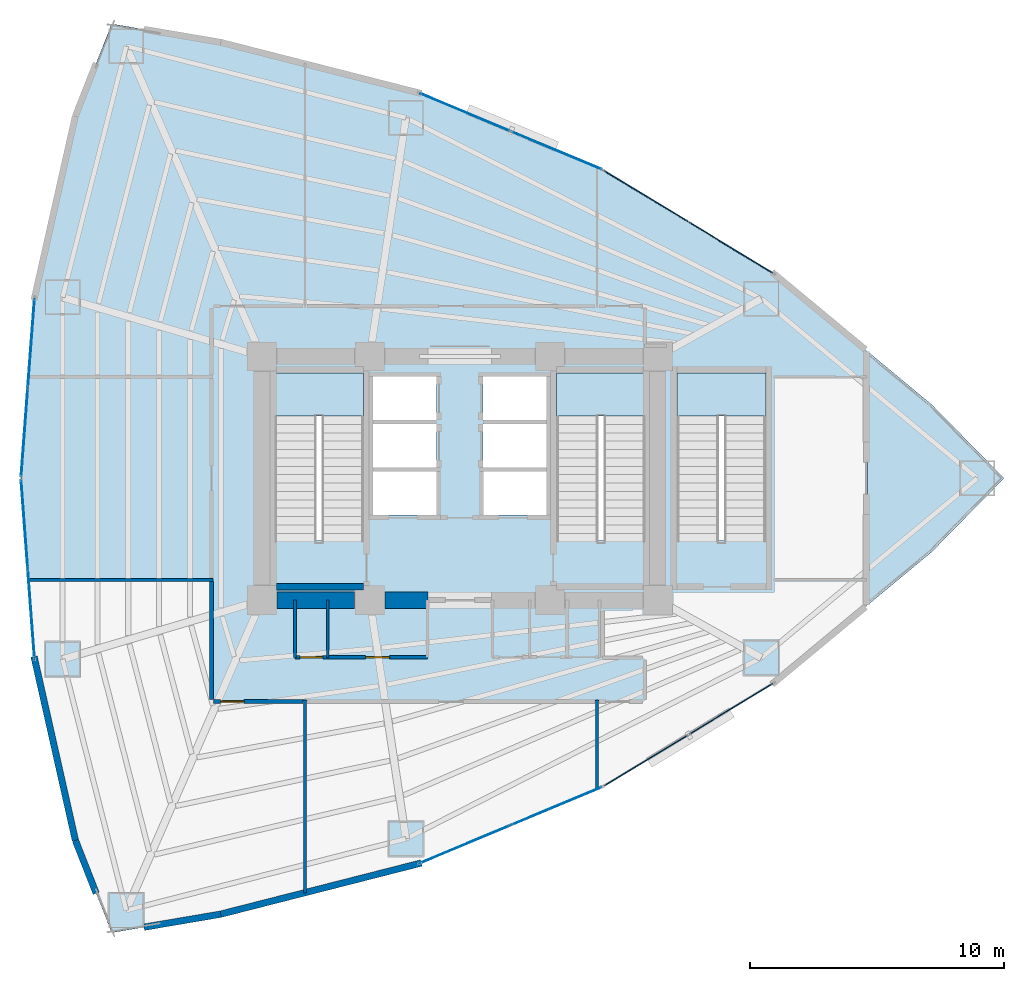
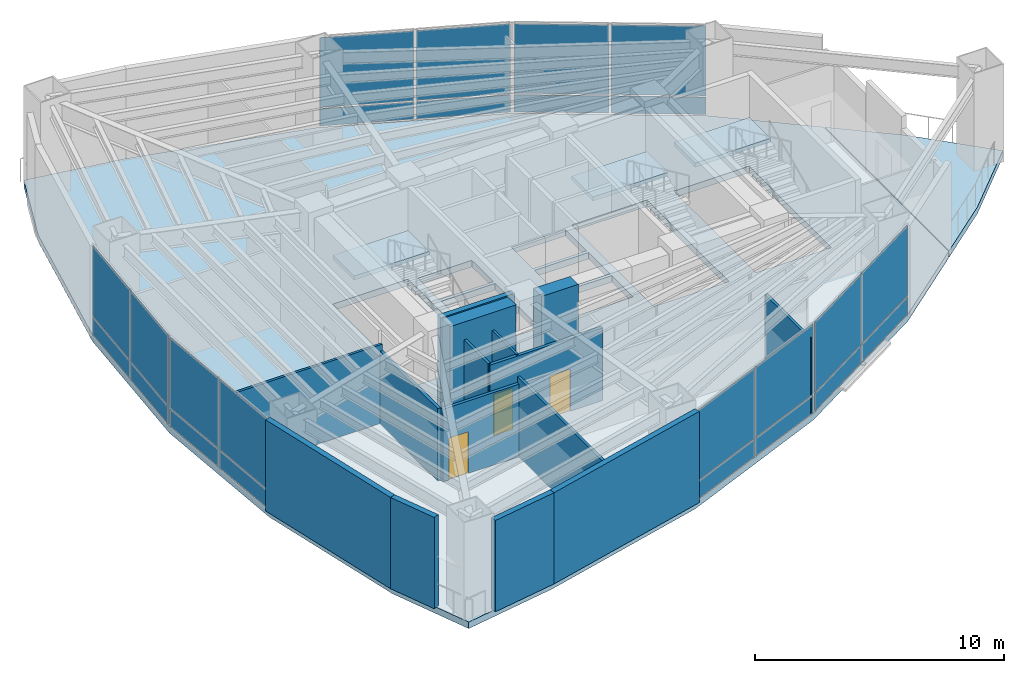
# One storey, part 13 of 18: 24 plates, 15 walls, 5 slabs, 3 doors, 3 openings, 9 elements without a shape of their own.
"""IFC4 building model written with IfcOpenShell, lengths in metres."""

from ifc_helpers import new_model, si_unit, direction, frame, frame_2d, origin, origin_2d, place, context, subcontext, project, spatial, polyline, rectangle, outline, extrude, material, layer, layer_set, type_object, element, fill, aggregate, save


model = new_model("IFC4")

# Units and contexts
model_context = context("Model", 3, precision=1e-05, world=origin(), true_north=direction((0.0, 1.0)))
body_context = subcontext(model_context, "Body", "Model", "MODEL_VIEW")
ifc_project = project(units=[si_unit("LENGTHUNIT", "METRE"), si_unit("AREAUNIT", "SQUARE_METRE"), si_unit("VOLUMEUNIT", "CUBIC_METRE"), si_unit("PLANEANGLEUNIT", "RADIAN"), si_unit("MASSUNIT", "GRAM", prefix="KILO")], contexts=[model_context])

# Site, building, storey
site_placement = place(None, origin())
site = spatial("IfcSite", under=ifc_project, at=site_placement, CompositionType="ELEMENT")
building_placement = place(site_placement, origin())
building = spatial("IfcBuilding", under=site, at=building_placement, Name="Menara Vayukalpa", CompositionType="ELEMENT")
storey_placement = place(building_placement, frame((0.0, 0.0, 18.0)))
storey = spatial("IfcBuildingStorey", under=building, at=storey_placement, Name="L03", CompositionType="ELEMENT", Elevation=18.0)

# Curtain wall, plates
ifc_material_1 = material(Name="Anodised Terracotta Aluminium Alloy 6063-T6", Category="masonry")
ifc_layer_1 = layer(ifc_material_1, 0.179931640625)
ifc_layer_set_1 = layer_set([ifc_layer_1], Name="Anodised Terracotta Aluminium Alloy 6063-T6")
curtain_wall_type = type_object("IfcCurtainWallType", Name="CW-CW1", PredefinedType="USERDEFINED", material=ifc_layer_set_1)
curtain_wall_1_placement = place(storey_placement, origin())
curtain_wall_1 = element("IfcCurtainWall", 1, at=curtain_wall_1_placement, inside=storey, type_object=curtain_wall_type, Name="L03 Podium Unitised Ribbon Curtain Wall CW1 04", ObjectType="UNITISED", PredefinedType="USERDEFINED")
ifc_material_2 = material(Name="Low-E Double Glazing", Category="glass")
ifc_layer_2 = layer(ifc_material_2, 0.035888671875)
ifc_layer_set_2 = layer_set([ifc_layer_2], Name="Low-E Double Glazing")
plate_type = type_object("IfcPlateType", Name="CWP-CW1", PredefinedType="CURTAIN_PANEL", material=ifc_layer_set_2)
plate_1_placement = place(storey_placement, frame((36.274169921875, 31.083251953125, 0.074951171875), z_axis=(0.0, 0.0, 1.0), x_axis=(-0.854664994604, 0.519179879231, 0.0)))
plate_1 = element("IfcPlate", 2, at=plate_1_placement, type_object=plate_type, Name="CW1 panel 1.1", PredefinedType="CURTAIN_PANEL", context=body_context, shape_type="SweptSolid", body=[
    extrude(rectangle(XDim=3.825927734375, YDim=0.035888671875, at=origin_2d()), origin(), (0.0, 0.0, 1.0), 0.83740234375),
])
plate_2_placement = place(storey_placement, frame((36.274169921875, 31.083251953125, 0.987548828125), z_axis=(0.0, 0.0, 1.0), x_axis=(-0.854664994604, 0.519179879231, 0.0)))
plate_2 = element("IfcPlate", 3, at=plate_2_placement, type_object=plate_type, Name="CW1 panel 1.2", PredefinedType="CURTAIN_PANEL", context=body_context, shape_type="SweptSolid", body=[
    extrude(rectangle(XDim=3.825927734375, YDim=0.035888671875, at=origin_2d()), origin(), (0.0, 0.0, 1.0), 3.41748046875),
])
plate_3_placement = place(storey_placement, frame((32.940185546875, 33.1083984375, 0.074951171875), z_axis=(0.0, 0.0, 1.0), x_axis=(-0.854664994604, 0.519179879231, 0.0)))
plate_3 = element("IfcPlate", 4, at=plate_3_placement, type_object=plate_type, Name="CW1 panel 2.1", PredefinedType="CURTAIN_PANEL", context=body_context, shape_type="SweptSolid", body=[
    extrude(rectangle(XDim=3.825927734375, YDim=0.035888671875, at=origin_2d()), origin(), (0.0, 0.0, 1.0), 0.83740234375),
])
plate_4_placement = place(storey_placement, frame((32.940185546875, 33.1083984375, 0.987548828125), z_axis=(0.0, 0.0, 1.0), x_axis=(-0.854664994604, 0.519179879231, 0.0)))
plate_4 = element("IfcPlate", 5, at=plate_4_placement, type_object=plate_type, Name="CW1 panel 2.2", PredefinedType="CURTAIN_PANEL", context=body_context, shape_type="SweptSolid", body=[
    extrude(rectangle(XDim=3.825927734375, YDim=0.035888671875, at=origin_2d()), origin(), (0.0, 0.0, 1.0), 3.41748046875),
])
aggregate(curtain_wall_1, [plate_1, plate_2, plate_3, plate_4])

curtain_wall_2_placement = place(storey_placement, origin())
curtain_wall_2 = element("IfcCurtainWall", 6, at=curtain_wall_2_placement, inside=storey, type_object=curtain_wall_type, Name="L03 Podium Unitised Ribbon Curtain Wall CW1 05", ObjectType="UNITISED", PredefinedType="USERDEFINED")
plate_5_placement = place(storey_placement, frame((29.407470703125, 34.90771484375, 0.074951171875), z_axis=(0.0, 0.0, 1.0), x_axis=(-0.922544543499, 0.385890613077, 0.0)))
plate_5 = element("IfcPlate", 7, at=plate_5_placement, type_object=plate_type, Name="CW1 panel 1.1", PredefinedType="CURTAIN_PANEL", context=body_context, shape_type="SweptSolid", body=[
    extrude(rectangle(XDim=3.82568359375, YDim=0.035888671875, at=origin_2d()), origin(), (0.0, 0.0, 1.0), 0.83740234375),
])
plate_6_placement = place(storey_placement, frame((29.407470703125, 34.90771484375, 0.987548828125), z_axis=(0.0, 0.0, 1.0), x_axis=(-0.922544543499, 0.385890613077, 0.0)))
plate_6 = element("IfcPlate", 8, at=plate_6_placement, type_object=plate_type, Name="CW1 panel 1.2", PredefinedType="CURTAIN_PANEL", context=body_context, shape_type="SweptSolid", body=[
    extrude(rectangle(XDim=3.82568359375, YDim=0.035888671875, at=origin_2d()), origin(), (0.0, 0.0, 1.0), 3.41748046875),
])
plate_7_placement = place(storey_placement, frame((25.808837890625, 36.412841796875, 0.074951171875), z_axis=(0.0, 0.0, 1.0), x_axis=(-0.922544543499, 0.385890613077, 0.0)))
plate_7 = element("IfcPlate", 9, at=plate_7_placement, type_object=plate_type, Name="CW1 panel 2.1", PredefinedType="CURTAIN_PANEL", context=body_context, shape_type="SweptSolid", body=[
    extrude(rectangle(XDim=3.82568359375, YDim=0.035888671875, at=origin_2d()), origin(), (0.0, 0.0, 1.0), 0.83740234375),
])
plate_8_placement = place(storey_placement, frame((25.808837890625, 36.412841796875, 0.987548828125), z_axis=(0.0, 0.0, 1.0), x_axis=(-0.922544543499, 0.385890613077, 0.0)))
plate_8 = element("IfcPlate", 10, at=plate_8_placement, type_object=plate_type, Name="CW1 panel 2.2", PredefinedType="CURTAIN_PANEL", context=body_context, shape_type="SweptSolid", body=[
    extrude(rectangle(XDim=3.82568359375, YDim=0.035888671875, at=origin_2d()), origin(), (0.0, 0.0, 1.0), 3.41748046875),
])
aggregate(curtain_wall_2, [plate_5, plate_6, plate_7, plate_8])

curtain_wall_3_placement = place(storey_placement, origin())
curtain_wall_3 = element("IfcCurtainWall", 11, at=curtain_wall_3_placement, inside=storey, type_object=curtain_wall_type, Name="L03 Podium Unitised Ribbon Curtain Wall CW1 10", ObjectType="UNITISED", PredefinedType="USERDEFINED")
plate_9_placement = place(storey_placement, frame((8.717041015625, 27.327880859375, 0.074951171875), z_axis=(0.0, 0.0, 1.0), x_axis=(-0.074794468953, -0.997198970825, 0.0)))
plate_9 = element("IfcPlate", 12, at=plate_9_placement, type_object=plate_type, Name="CW1 panel 1.1", PredefinedType="CURTAIN_PANEL", context=body_context, shape_type="SweptSolid", body=[
    extrude(rectangle(XDim=3.4619140625, YDim=0.035888671875, at=origin_2d()), origin(), (0.0, 0.0, 1.0), 0.83740234375),
])
plate_10_placement = place(storey_placement, frame((8.717041015625, 27.327880859375, 0.987548828125), z_axis=(0.0, 0.0, 1.0), x_axis=(-0.074794468953, -0.997198970825, 0.0)))
plate_10 = element("IfcPlate", 13, at=plate_10_placement, type_object=plate_type, Name="CW1 panel 1.2", PredefinedType="CURTAIN_PANEL", context=body_context, shape_type="SweptSolid", body=[
    extrude(rectangle(XDim=3.4619140625, YDim=0.035888671875, at=origin_2d()), origin(), (0.0, 0.0, 1.0), 3.41748046875),
])
plate_11_placement = place(storey_placement, frame((8.452392578125, 23.801025390625, 0.074951171875), z_axis=(0.0, 0.0, 1.0), x_axis=(-0.074794468953, -0.997198970825, 0.0)))
plate_11 = element("IfcPlate", 14, at=plate_11_placement, type_object=plate_type, Name="CW1 panel 2.1", PredefinedType="CURTAIN_PANEL", context=body_context, shape_type="SweptSolid", body=[
    extrude(rectangle(XDim=3.4619140625, YDim=0.035888671875, at=origin_2d()), origin(), (0.0, 0.0, 1.0), 0.83740234375),
])
plate_12_placement = place(storey_placement, frame((8.452392578125, 23.801025390625, 0.987548828125), z_axis=(0.0, 0.0, 1.0), x_axis=(-0.074794468953, -0.997198970825, 0.0)))
plate_12 = element("IfcPlate", 15, at=plate_12_placement, type_object=plate_type, Name="CW1 panel 2.2", PredefinedType="CURTAIN_PANEL", context=body_context, shape_type="SweptSolid", body=[
    extrude(rectangle(XDim=3.4619140625, YDim=0.035888671875, at=origin_2d()), origin(), (0.0, 0.0, 1.0), 3.41748046875),
])
aggregate(curtain_wall_3, [plate_9, plate_10, plate_11, plate_12])

curtain_wall_4_placement = place(storey_placement, origin())
curtain_wall_4 = element("IfcCurtainWall", 16, at=curtain_wall_4_placement, inside=storey, type_object=curtain_wall_type, Name="L03 Podium Unitised Ribbon Curtain Wall CW1 11", ObjectType="UNITISED", PredefinedType="USERDEFINED")
plate_13_placement = place(storey_placement, frame((8.452392578125, 20.198974609375, 0.074951171875), z_axis=(0.0, 0.0, 1.0), x_axis=(0.074794468953, -0.997198970825, 0.0)))
plate_13 = element("IfcPlate", 17, at=plate_13_placement, type_object=plate_type, Name="CW1 panel 1.1", PredefinedType="CURTAIN_PANEL", context=body_context, shape_type="SweptSolid", body=[
    extrude(rectangle(XDim=3.4619140625, YDim=0.035888671875, at=origin_2d()), origin(), (0.0, 0.0, 1.0), 0.83740234375),
])
plate_14_placement = place(storey_placement, frame((8.452392578125, 20.198974609375, 0.987548828125), z_axis=(0.0, 0.0, 1.0), x_axis=(0.074794468953, -0.997198970825, 0.0)))
plate_14 = element("IfcPlate", 18, at=plate_14_placement, type_object=plate_type, Name="CW1 panel 1.2", PredefinedType="CURTAIN_PANEL", context=body_context, shape_type="SweptSolid", body=[
    extrude(rectangle(XDim=3.4619140625, YDim=0.035888671875, at=origin_2d()), origin(), (0.0, 0.0, 1.0), 3.41748046875),
])
plate_15_placement = place(storey_placement, frame((8.717041015625, 16.672119140625, 0.074951171875), z_axis=(0.0, 0.0, 1.0), x_axis=(0.074794468953, -0.997198970825, 0.0)))
plate_15 = element("IfcPlate", 19, at=plate_15_placement, type_object=plate_type, Name="CW1 panel 2.1", PredefinedType="CURTAIN_PANEL", context=body_context, shape_type="SweptSolid", body=[
    extrude(rectangle(XDim=3.4619140625, YDim=0.035888671875, at=origin_2d()), origin(), (0.0, 0.0, 1.0), 0.83740234375),
])
plate_16_placement = place(storey_placement, frame((8.717041015625, 16.672119140625, 0.987548828125), z_axis=(0.0, 0.0, 1.0), x_axis=(0.074794468953, -0.997198970825, 0.0)))
plate_16 = element("IfcPlate", 20, at=plate_16_placement, type_object=plate_type, Name="CW1 panel 2.2", PredefinedType="CURTAIN_PANEL", context=body_context, shape_type="SweptSolid", body=[
    extrude(rectangle(XDim=3.4619140625, YDim=0.035888671875, at=origin_2d()), origin(), (0.0, 0.0, 1.0), 3.41748046875),
])
aggregate(curtain_wall_4, [plate_13, plate_14, plate_15, plate_16])

curtain_wall_5_placement = place(storey_placement, origin())
curtain_wall_5 = element("IfcCurtainWall", 21, at=curtain_wall_5_placement, inside=storey, type_object=curtain_wall_type, Name="L03 Podium Unitised Ribbon Curtain Wall CW1 16", ObjectType="UNITISED", PredefinedType="USERDEFINED")
plate_17_placement = place(storey_placement, frame((25.808837890625, 7.587158203125, 0.074951171875), z_axis=(0.0, 0.0, 1.0), x_axis=(0.922544543499, 0.385890613077, 0.0)))
plate_17 = element("IfcPlate", 22, at=plate_17_placement, type_object=plate_type, Name="CW1 panel 1.1", PredefinedType="CURTAIN_PANEL", context=body_context, shape_type="SweptSolid", body=[
    extrude(rectangle(XDim=3.82568359375, YDim=0.035888671875, at=origin_2d()), origin(), (0.0, 0.0, 1.0), 0.83740234375),
])
plate_18_placement = place(storey_placement, frame((25.808837890625, 7.587158203125, 0.987548828125), z_axis=(0.0, 0.0, 1.0), x_axis=(0.922544543499, 0.385890613077, 0.0)))
plate_18 = element("IfcPlate", 23, at=plate_18_placement, type_object=plate_type, Name="CW1 panel 1.2", PredefinedType="CURTAIN_PANEL", context=body_context, shape_type="SweptSolid", body=[
    extrude(rectangle(XDim=3.82568359375, YDim=0.035888671875, at=origin_2d()), origin(), (0.0, 0.0, 1.0), 3.41748046875),
])
plate_19_placement = place(storey_placement, frame((29.407470703125, 9.09228515625, 0.074951171875), z_axis=(0.0, 0.0, 1.0), x_axis=(0.922544543499, 0.385890613077, 0.0)))
plate_19 = element("IfcPlate", 24, at=plate_19_placement, type_object=plate_type, Name="CW1 panel 2.1", PredefinedType="CURTAIN_PANEL", context=body_context, shape_type="SweptSolid", body=[
    extrude(rectangle(XDim=3.82568359375, YDim=0.035888671875, at=origin_2d()), origin(), (0.0, 0.0, 1.0), 0.83740234375),
])
plate_20_placement = place(storey_placement, frame((29.407470703125, 9.09228515625, 0.987548828125), z_axis=(0.0, 0.0, 1.0), x_axis=(0.922544543499, 0.385890613077, 0.0)))
plate_20 = element("IfcPlate", 25, at=plate_20_placement, type_object=plate_type, Name="CW1 panel 2.2", PredefinedType="CURTAIN_PANEL", context=body_context, shape_type="SweptSolid", body=[
    extrude(rectangle(XDim=3.82568359375, YDim=0.035888671875, at=origin_2d()), origin(), (0.0, 0.0, 1.0), 3.41748046875),
])
aggregate(curtain_wall_5, [plate_17, plate_18, plate_19, plate_20])

curtain_wall_6_placement = place(storey_placement, origin())
curtain_wall_6 = element("IfcCurtainWall", 26, at=curtain_wall_6_placement, inside=storey, type_object=curtain_wall_type, Name="L03 Podium Unitised Ribbon Curtain Wall CW1 17", ObjectType="UNITISED", PredefinedType="USERDEFINED")
plate_21_placement = place(storey_placement, frame((32.940185546875, 10.8916015625, 0.074951171875), z_axis=(0.0, 0.0, 1.0), x_axis=(0.854664994604, 0.519179879231, 0.0)))
plate_21 = element("IfcPlate", 27, at=plate_21_placement, type_object=plate_type, Name="CW1 panel 1.1", PredefinedType="CURTAIN_PANEL", context=body_context, shape_type="SweptSolid", body=[
    extrude(rectangle(XDim=3.825927734375, YDim=0.035888671875, at=origin_2d()), origin(), (0.0, 0.0, 1.0), 0.83740234375),
])
plate_22_placement = place(storey_placement, frame((32.940185546875, 10.8916015625, 0.987548828125), z_axis=(0.0, 0.0, 1.0), x_axis=(0.854664994604, 0.519179879231, 0.0)))
plate_22 = element("IfcPlate", 28, at=plate_22_placement, type_object=plate_type, Name="CW1 panel 1.2", PredefinedType="CURTAIN_PANEL", context=body_context, shape_type="SweptSolid", body=[
    extrude(rectangle(XDim=3.825927734375, YDim=0.035888671875, at=origin_2d()), origin(), (0.0, 0.0, 1.0), 3.41748046875),
])
plate_23_placement = place(storey_placement, frame((36.274169921875, 12.916748046875, 0.074951171875), z_axis=(0.0, 0.0, 1.0), x_axis=(0.854664994604, 0.519179879231, 0.0)))
plate_23 = element("IfcPlate", 29, at=plate_23_placement, type_object=plate_type, Name="CW1 panel 2.1", PredefinedType="CURTAIN_PANEL", context=body_context, shape_type="SweptSolid", body=[
    extrude(rectangle(XDim=3.825927734375, YDim=0.035888671875, at=origin_2d()), origin(), (0.0, 0.0, 1.0), 0.83740234375),
])
plate_24_placement = place(storey_placement, frame((36.274169921875, 12.916748046875, 0.987548828125), z_axis=(0.0, 0.0, 1.0), x_axis=(0.854664994604, 0.519179879231, 0.0)))
plate_24 = element("IfcPlate", 30, at=plate_24_placement, type_object=plate_type, Name="CW1 panel 2.2", PredefinedType="CURTAIN_PANEL", context=body_context, shape_type="SweptSolid", body=[
    extrude(rectangle(XDim=3.825927734375, YDim=0.035888671875, at=origin_2d()), origin(), (0.0, 0.0, 1.0), 3.41748046875),
])
aggregate(curtain_wall_6, [plate_21, plate_22, plate_23, plate_24])

# Slab
ifc_material_3 = material(Name="Concrete C45/55", Category="concrete")
ifc_layer_3 = layer(ifc_material_3, 0.320068359375)
ifc_layer_set_3 = layer_set([ifc_layer_3], Name="Concrete C45/55")
slab_type_1 = type_object("IfcSlabType", Name="SLB-FL320", PredefinedType="FLOOR", material=ifc_layer_set_3)
slab_1_placement = place(storey_placement, frame((0.0, 0.0, -0.320068359375)))
element("IfcSlab", 31, at=slab_1_placement, inside=storey, type_object=slab_type_1, Name="L03 Structural Floor Slab", PredefinedType="FLOOR", context=body_context, shape_type="SweptSolid", body=[
    extrude(outline(polyline([(37.97314453125, 13.948974609375), (31.2412109375, 9.859619140625), (23.974853515625, 6.820068359375), (16.173583984375, 4.830322265625), (11.885498046875, 4.1025390625), (10.4560546875, 7.7421875), (8.85205078125, 14.87109375), (8.3173828125, 22.0), (8.85205078125, 29.12890625), (10.4560546875, 36.2578125), (11.885498046875, 39.8974609375), (16.173583984375, 39.169677734375), (23.974853515625, 37.179931640625), (31.2412109375, 34.140380859375), (37.97314453125, 30.051025390625), (41.609130859375, 27.035888671875), (41.609130859375, 16.964111328125), (37.97314453125, 13.948974609375)]), holes=[polyline([(21.800048828125, 19.550048828125), (21.800048828125, 26.14990234375), (18.300048828125, 26.14990234375), (18.300048828125, 19.550048828125), (21.800048828125, 19.550048828125)]), polyline([(32.89990234375, 19.550048828125), (32.89990234375, 26.14990234375), (29.39990234375, 26.14990234375), (29.39990234375, 19.550048828125), (32.89990234375, 19.550048828125)]), polyline([(37.64990234375, 19.550048828125), (37.64990234375, 26.14990234375), (34.14990234375, 26.14990234375), (34.14990234375, 19.550048828125), (37.64990234375, 19.550048828125)]), polyline([(22.179931640625, 20.550048828125), (24.679931640625, 20.550048828125), (24.679931640625, 22.27001953125), (22.179931640625, 22.27001953125), (22.179931640625, 20.550048828125)]), polyline([(26.52001953125, 20.550048828125), (29.02001953125, 20.550048828125), (29.02001953125, 22.27001953125), (26.52001953125, 22.27001953125), (26.52001953125, 20.550048828125)]), polyline([(22.179931640625, 22.419921875), (24.679931640625, 22.419921875), (24.679931640625, 24.139892578125), (22.179931640625, 24.139892578125), (22.179931640625, 22.419921875)]), polyline([(22.179931640625, 24.2900390625), (24.679931640625, 24.2900390625), (24.679931640625, 26.010009765625), (22.179931640625, 26.010009765625), (22.179931640625, 24.2900390625)]), polyline([(26.52001953125, 24.2900390625), (29.02001953125, 24.2900390625), (29.02001953125, 26.010009765625), (26.52001953125, 26.010009765625), (26.52001953125, 24.2900390625)]), polyline([(26.52001953125, 22.419921875), (29.02001953125, 22.419921875), (29.02001953125, 24.139892578125), (26.52001953125, 24.139892578125), (26.52001953125, 22.419921875)])]), origin(), (0.0, 0.0, 1.0), 0.320068359375),
])

# Stair, slab
ifc_material_4 = material(Name="Precast Concrete C40/50", Category="concrete")
stair_type = type_object("IfcStairType", Name="STR-T01", PredefinedType="DOUBLE_RETURN_STAIR", material=ifc_material_4)
stair_1_placement = place(storey_placement, origin())
stair_1 = element("IfcStair", 32, at=stair_1_placement, inside=storey, type_object=stair_type, Name="L03 Core Exit Stair ST-1", PredefinedType="DOUBLE_RETURN_STAIR")
ifc_material_5 = material(Name="Precast Concrete C40/50", Category="concrete")
ifc_layer_4 = layer(ifc_material_5, 0.199951171875)
ifc_layer_set_4 = layer_set([ifc_layer_4], Name="Precast Concrete C40/50")
slab_type_2 = type_object("IfcSlabType", Name="SLB-LND200", PredefinedType="LANDING", material=ifc_layer_set_4)
slab_2_placement = place(storey_placement, frame((0.0, 0.0, 2.199951171875)))
slab_2 = element("IfcSlab", 33, at=slab_2_placement, type_object=slab_type_2, Name="ST-1 landing 1", PredefinedType="LANDING", context=body_context, shape_type="SweptSolid", body=[
    extrude(outline(polyline([(21.800048828125, 24.449951171875), (21.800048828125, 26.14990234375), (18.300048828125, 26.14990234375), (18.300048828125, 24.449951171875), (21.800048828125, 24.449951171875)])), origin(), (0.0, 0.0, 1.0), 0.199951171875),
])
aggregate(stair_1, [slab_2])

stair_2_placement = place(storey_placement, origin())
stair_2 = element("IfcStair", 34, at=stair_2_placement, inside=storey, type_object=stair_type, Name="L03 Core Exit Stair ST-2", PredefinedType="DOUBLE_RETURN_STAIR")
slab_3_placement = place(storey_placement, frame((0.0, 0.0, 2.199951171875)))
slab_3 = element("IfcSlab", 35, at=slab_3_placement, type_object=slab_type_2, Name="ST-2 landing 1", PredefinedType="LANDING", context=body_context, shape_type="SweptSolid", body=[
    extrude(outline(polyline([(32.89990234375, 24.449951171875), (32.89990234375, 26.14990234375), (29.39990234375, 26.14990234375), (29.39990234375, 24.449951171875), (32.89990234375, 24.449951171875)])), origin(), (0.0, 0.0, 1.0), 0.199951171875),
])
aggregate(stair_2, [slab_3])

stair_3_placement = place(storey_placement, origin())
stair_3 = element("IfcStair", 36, at=stair_3_placement, inside=storey, type_object=stair_type, Name="L03 Podium Exit Stair ST-3", PredefinedType="DOUBLE_RETURN_STAIR")
slab_4_placement = place(storey_placement, frame((0.0, 0.0, 2.199951171875)))
slab_4 = element("IfcSlab", 37, at=slab_4_placement, type_object=slab_type_2, Name="ST-3 landing 1", PredefinedType="LANDING", context=body_context, shape_type="SweptSolid", body=[
    extrude(outline(polyline([(37.64990234375, 24.449951171875), (37.64990234375, 26.14990234375), (34.14990234375, 26.14990234375), (34.14990234375, 24.449951171875), (37.64990234375, 24.449951171875)])), origin(), (0.0, 0.0, 1.0), 0.199951171875),
])
aggregate(stair_3, [slab_4])

# Slab
ifc_material_6 = material(Name="Concrete C45/55", Category="concrete")
ifc_layer_5 = layer(ifc_material_6, 0.320068359375)
ifc_layer_set_5 = layer_set([ifc_layer_5], Name="Concrete C45/55")
slab_type_3 = type_object("IfcSlabType", Name="SLB-TR320", PredefinedType="FLOOR", material=ifc_layer_set_5)
slab_5_placement = place(storey_placement, frame((0.0, 0.0, -0.320068359375)))
element("IfcSlab", 38, at=slab_5_placement, inside=storey, type_object=slab_type_3, Name="L03 Podium East Sky Garden Terrace", PredefinedType="FLOOR", context=body_context, shape_type="SweptSolid", body=[
    extrude(outline(polyline([(44.17041015625, 24.911865234375), (47.029296875, 22.0), (44.17041015625, 19.088134765625), (41.649169921875, 16.997314453125), (41.649169921875, 27.002685546875), (44.17041015625, 24.911865234375)])), origin(), (0.0, 0.0, 1.0), 0.320068359375),
])

# Walls
ifc_material_7 = material(Name="Concrete C80/95", Category="concrete")
ifc_layer_6 = layer(ifc_material_7, 0.64990234375)
ifc_layer_set_6 = layer_set([ifc_layer_6], Name="Concrete C80/95")
wall_type_1 = type_object("IfcWallType", Name="WAL-CW650", PredefinedType="SHEAR", material=ifc_layer_set_6)
wall_1_placement = place(storey_placement, frame((18.39501953125, 17.199951171875, 0.0), z_axis=(0.0, 0.0, 1.0), x_axis=(1.0, 0.0, 0.0)))
element("IfcWall", 39, at=wall_1_placement, inside=storey, type_object=wall_type_1, Name="L03 Buttressed Core Shear Wall CWS1", PredefinedType="SHEAR", context=body_context, shape_type="SweptSolid", body=[
    extrude(rectangle(XDim=3.06005859375, YDim=0.64990234375, at=frame_2d((1.530029296875, 0.0))), origin(), (0.0, 0.0, 1.0), 4.47998046875),
])
wall_2_placement = place(storey_placement, frame((22.64501953125, 17.199951171875, 0.0), z_axis=(0.0, 0.0, 1.0), x_axis=(1.0, 0.0, 0.0)))
element("IfcWall", 40, at=wall_2_placement, inside=storey, type_object=wall_type_1, Name="L03 Buttressed Core Shear Wall CWS2", PredefinedType="SHEAR", context=body_context, shape_type="SweptSolid", body=[
    extrude(rectangle(XDim=1.705078125, YDim=0.64990234375, at=frame_2d((0.8525390625, 0.0))), origin(), (0.0, 0.0, 1.0), 4.47998046875),
])
ifc_material_8 = material(Name="Insulated Precast Concrete C40/50", Category="concrete")
ifc_layer_7 = layer(ifc_material_8, 0.260009765625)
ifc_layer_set_7 = layer_set([ifc_layer_7], Name="Insulated Precast Concrete C40/50")
wall_type_2 = type_object("IfcWallType", Name="WAL-EXT260", PredefinedType="PARTITIONING", material=ifc_layer_set_7)
wall_3_placement = place(storey_placement, frame((10.4560546875, 7.7421875, 0.0), z_axis=(0.0, 0.0, 1.0), x_axis=(-0.219512195122, 0.975609756098, 0.0)))
element("IfcWall", 41, at=wall_3_placement, inside=storey, type_object=wall_type_2, Name="L03 Perimeter Terracotta Pier Wall 12", PredefinedType="PARTITIONING", context=body_context, shape_type="SweptSolid", body=[
    extrude(rectangle(XDim=7.417236328125, YDim=0.260009765625, at=frame_2d((3.70849609375, 0.0))), origin(), (0.0, 0.0, 1.0), 4.47998046875),
])
wall_4_placement = place(storey_placement, frame((11.27587890625, 5.654541015625, 0.0), z_axis=(0.0, 0.0, 1.0), x_axis=(-0.365527759733, 0.930800438797, 0.0)))
element("IfcWall", 42, at=wall_4_placement, inside=storey, type_object=wall_type_2, Name="L03 Perimeter Terracotta Pier Wall 13", PredefinedType="PARTITIONING", context=body_context, shape_type="SweptSolid", body=[
    extrude(rectangle(XDim=2.242919921875, YDim=0.260009765625, at=frame_2d((1.12158203125, 0.0))), origin(), (0.0, 0.0, 1.0), 4.47998046875),
])
wall_5_placement = place(storey_placement, frame((16.179443359375, 4.831298828125, 0.0), z_axis=(0.0, 0.0, 1.0), x_axis=(-0.985905166387, -0.167305119144, 0.0)))
element("IfcWall", 43, at=wall_5_placement, inside=storey, type_object=wall_type_2, Name="L03 Perimeter Terracotta Pier Wall 14", PredefinedType="PARTITIONING", context=body_context, shape_type="SweptSolid", body=[
    extrude(rectangle(XDim=3.064453125, YDim=0.260009765625, at=frame_2d((1.5322265625, 0.0))), origin(), (0.0, 0.0, 1.0), 4.47998046875),
])
wall_6_placement = place(storey_placement, frame((24.081298828125, 6.84716796875, 0.0), z_axis=(0.0, 0.0, 1.0), x_axis=(-0.968981557045, -0.247133045354, 0.0)))
element("IfcWall", 44, at=wall_6_placement, inside=storey, type_object=wall_type_2, Name="L03 Perimeter Terracotta Pier Wall 15", PredefinedType="PARTITIONING", context=body_context, shape_type="SweptSolid", body=[
    extrude(rectangle(XDim=8.1669921875, YDim=0.260009765625, at=frame_2d((4.08349609375, 0.0))), origin(), (0.0, 0.0, 1.0), 4.47998046875),
])
ifc_material_9 = material(Name="Acoustic Mineral Stud Partition", Category="masonry")
ifc_layer_8 = layer(ifc_material_9, 0.110107421875)
ifc_layer_set_8 = layer_set([ifc_layer_8], Name="Acoustic Mineral Stud Partition")
wall_type_3 = type_object("IfcWallType", Name="WAL-PT110", PredefinedType="PARTITIONING", material=ifc_layer_set_8)
wall_7_placement = place(storey_placement, frame((20.39990234375, 14.949951171875, 0.0), z_axis=(0.0, 0.0, 1.0), x_axis=(0.0, 1.0, 0.0)))
element("IfcWall", 45, at=wall_7_placement, inside=storey, type_object=wall_type_3, Name="L03 Interior Partition IW-L03-SVCD-02", PredefinedType="PARTITIONING", context=body_context, shape_type="SweptSolid", body=[
    extrude(rectangle(XDim=2.25, YDim=0.110107421875, at=frame_2d((1.125, 0.0))), origin(), (0.0, 0.0, 1.0), 3.610107421875),
])
wall_8_placement = place(storey_placement, frame((8.607421875, 18.0, 0.0), z_axis=(0.0, 0.0, 1.0), x_axis=(1.0, 0.0, 0.0)))
element("IfcWall", 46, at=wall_8_placement, inside=storey, type_object=wall_type_3, Name="L03 Interior Partition IW-L03-RDIV05", PredefinedType="PARTITIONING", context=body_context, shape_type="SweptSolid", body=[
    extrude(rectangle(XDim=7.2626953125, YDim=0.110107421875, at=frame_2d((3.63134765625, 0.0))), origin(), (0.0, 0.0, 1.0), 3.860107421875),
])
ifc_material_10 = material(Name="Gypsum Drywall Steel Stud Assembly", Category="steel")
ifc_layer_9 = layer(ifc_material_10, 0.125)
ifc_layer_set_9 = layer_set([ifc_layer_9], Name="Gypsum Drywall Steel Stud Assembly")
wall_type_4 = type_object("IfcWallType", Name="WAL-PT125", PredefinedType="PARTITIONING", material=ifc_layer_set_9)
wall_9_placement = place(storey_placement, frame((19.10009765625, 14.949951171875, 0.0), z_axis=(0.0, 0.0, 1.0), x_axis=(0.0, 1.0, 0.0)))
element("IfcWall", 47, at=wall_9_placement, inside=storey, type_object=wall_type_4, Name="L03 Interior Partition IW-L03-SVCD-01", PredefinedType="PARTITIONING", context=body_context, shape_type="SweptSolid", body=[
    extrude(rectangle(XDim=2.25, YDim=0.125, at=frame_2d((1.125, 0.0))), origin(), (0.0, 0.0, 1.0), 3.610107421875),
])
wall_10_placement = place(storey_placement, frame((19.5, 5.66845703125, 0.0), z_axis=(0.0, 0.0, 1.0), x_axis=(0.0, 1.0, 0.0)))
element("IfcWall", 48, at=wall_10_placement, inside=storey, type_object=wall_type_4, Name="L03 Interior Partition IW-L03-RDIV01", PredefinedType="PARTITIONING", context=body_context, shape_type="SweptSolid", body=[
    extrude(rectangle(XDim=7.591552734375, YDim=0.125, at=frame_2d((3.7958984375, 0.0))), origin(), (0.0, 0.0, 1.0), 3.860107421875),
])
wall_11_placement = place(storey_placement, frame((31.0, 9.747802734375, 0.0), z_axis=(0.0, 0.0, 1.0), x_axis=(0.0, 1.0, 0.0)))
element("IfcWall", 49, at=wall_11_placement, inside=storey, type_object=wall_type_4, Name="L03 Interior Partition IW-L03-RDIV03", PredefinedType="PARTITIONING", context=body_context, shape_type="SweptSolid", body=[
    extrude(rectangle(XDim=3.51220703125, YDim=0.125, at=frame_2d((1.756103515625, 0.0))), origin(), (0.0, 0.0, 1.0), 3.860107421875),
])

# Wall, openings, doors
ifc_material_11 = material(Name="Gypsum Drywall Acoustic Stud Assembly", Category="masonry")
ifc_layer_10 = layer(ifc_material_11, 0.14501953125)
ifc_layer_set_10 = layer_set([ifc_layer_10], Name="Gypsum Drywall Acoustic Stud Assembly")
wall_type_5 = type_object("IfcWallType", Name="WAL-PT150", PredefinedType="PARTITIONING", material=ifc_layer_set_10)
wall_12_placement = place(storey_placement, frame((19.10009765625, 14.949951171875, 0.0), z_axis=(0.0, 0.0, 1.0), x_axis=(1.0, 0.0, 0.0)))
wall_12 = element("IfcWall", 50, at=wall_12_placement, inside=storey, type_object=wall_type_5, Name="L03 Interior Partition IW-L03-SVCS-W", PredefinedType="PARTITIONING", context=body_context, shape_type="SweptSolid", body=[
    extrude(rectangle(XDim=5.219970703125, YDim=0.14501953125, at=frame_2d((2.60986328125, 0.0))), origin(), (0.0, 0.0, 1.0), 3.56005859375),
])
opening_1_placement = place(wall_12_placement, frame((0.199951171875, 0.0, 0.0)))
opening_1 = element("IfcOpeningElement", 51, at=opening_1_placement, cuts=wall_12, Name="Opening ID7", PredefinedType="OPENING", context=body_context, shape_type="SweptSolid", body=[
    extrude(rectangle(XDim=0.89990234375, YDim=2.02001953125, at=frame_2d((0.449951171875, 1.010009765625))), frame((0.0, 0.08251953125, 0.0), z_axis=(0.0, -1.0, 0.0), x_axis=(1.0, 0.0, 0.0)), (0.0, 0.0, 1.0), 0.1650390625),
])
opening_2_placement = place(wall_12_placement, frame((2.784912109375, 0.0, 0.0)))
opening_2 = element("IfcOpeningElement", 52, at=opening_2_placement, cuts=wall_12, Name="Opening ID5", PredefinedType="OPENING", context=body_context, shape_type="SweptSolid", body=[
    extrude(rectangle(XDim=0.949951171875, YDim=2.06005859375, at=frame_2d((0.47509765625, 1.030029296875))), frame((0.0, 0.08251953125, 0.0), z_axis=(0.0, -1.0, 0.0), x_axis=(1.0, 0.0, 0.0)), (0.0, 0.0, 1.0), 0.1650390625),
])
ifc_material_12 = material(Name="Acoustic Hardwood Veneer Timber Door", Category="wood")
door_type_1 = type_object("IfcDoorType", Name="DR-INT95", OperationType="NOTDEFINED", PredefinedType="DOOR", material=ifc_material_12)
door_1_placement = place(opening_2_placement, origin())
door_1 = element("IfcDoor", 53, at=door_1_placement, inside=storey, type_object=door_type_1, Name="L03 Interior Door DR-L03-AWC", OperationType="SINGLE_SWING_RIGHT", OverallHeight=2.06005859375, OverallWidth=0.949951171875, PredefinedType="DOOR", context=body_context, shape_type="SweptSolid", body=[
    extrude(rectangle(XDim=0.949951171875, YDim=2.06005859375, at=frame_2d((0.47509765625, 1.030029296875))), frame((0.0, 0.02490234375, 0.0), z_axis=(0.0, -1.0, 0.0), x_axis=(1.0, 0.0, 0.0)), (0.0, 0.0, 1.0), 0.050048828125),
])
fill(opening_2, door_1)
ifc_material_13 = material(Name="Powder-Coated Steel Riser Access Door", Category="steel")
door_type_2 = type_object("IfcDoorType", Name="DR-RISER", OperationType="NOTDEFINED", PredefinedType="DOOR", material=ifc_material_13)
door_2_placement = place(opening_1_placement, origin())
door_2 = element("IfcDoor", 54, at=door_2_placement, inside=storey, type_object=door_type_2, Name="L03 Interior Door DR-L03-ELR", OperationType="SINGLE_SWING_LEFT", OverallHeight=2.02001953125, OverallWidth=0.89990234375, PredefinedType="DOOR", context=body_context, shape_type="SweptSolid", body=[
    extrude(rectangle(XDim=0.89990234375, YDim=2.02001953125, at=frame_2d((0.449951171875, 1.010009765625))), frame((0.0, 0.02490234375, 0.0), z_axis=(0.0, -1.0, 0.0), x_axis=(1.0, 0.0, 0.0)), (0.0, 0.0, 1.0), 0.050048828125),
])
fill(opening_1, door_2)

# Wall
wall_13_placement = place(storey_placement, frame((15.820068359375, 17.929931640625, 0.0), z_axis=(0.0, 0.0, 1.0), x_axis=(0.0, -1.0, 0.0)))
element("IfcWall", 55, at=wall_13_placement, inside=storey, type_object=wall_type_5, Name="L03 Interior Partition IW-L03-CRM02-1", PredefinedType="PARTITIONING", context=body_context, shape_type="SweptSolid", body=[
    extrude(rectangle(XDim=4.639892578125, YDim=0.14501953125, at=frame_2d((2.31982421875, 0.0))), origin(), (0.0, 0.0, 1.0), 3.56005859375),
])

# Wall, opening, door
wall_14_placement = place(storey_placement, frame((15.89990234375, 13.2099609375, 0.0), z_axis=(0.0, 0.0, 1.0), x_axis=(1.0, 0.0, 0.0)))
wall_14 = element("IfcWall", 56, at=wall_14_placement, inside=storey, type_object=wall_type_5, Name="L03 Interior Partition IW-L03-CRM02-2", PredefinedType="PARTITIONING", context=body_context, shape_type="SweptSolid", body=[
    extrude(rectangle(XDim=3.530029296875, YDim=0.14501953125, at=frame_2d((1.76513671875, 0.0))), origin(), (0.0, 0.0, 1.0), 3.56005859375),
])
opening_3_placement = place(wall_14_placement, frame((0.280029296875, 0.0, 0.0)))
opening_3 = element("IfcOpeningElement", 57, at=opening_3_placement, cuts=wall_14, Name="Opening ID6", PredefinedType="OPENING", context=body_context, shape_type="SweptSolid", body=[
    extrude(rectangle(XDim=0.919921875, YDim=2.050048828125, at=frame_2d((0.4599609375, 1.02490234375))), frame((0.0, 0.08251953125, 0.0), z_axis=(0.0, -1.0, 0.0), x_axis=(1.0, 0.0, 0.0)), (0.0, 0.0, 1.0), 0.1650390625),
])
ifc_material_14 = material(Name="Acoustic Hardwood Veneer Timber Door", Category="wood")
door_type_3 = type_object("IfcDoorType", Name="DR-INT92", OperationType="NOTDEFINED", PredefinedType="DOOR", material=ifc_material_14)
door_3_placement = place(opening_3_placement, origin())
door_3 = element("IfcDoor", 58, at=door_3_placement, inside=storey, type_object=door_type_3, Name="L03 Interior Door DR-L03-RM02", OperationType="SINGLE_SWING_RIGHT", OverallHeight=2.050048828125, OverallWidth=0.919921875, PredefinedType="DOOR", context=body_context, shape_type="SweptSolid", body=[
    extrude(rectangle(XDim=0.919921875, YDim=2.050048828125, at=frame_2d((0.4599609375, 1.02490234375))), frame((0.0, 0.02490234375, 0.0), z_axis=(0.0, -1.0, 0.0), x_axis=(1.0, 0.0, 0.0)), (0.0, 0.0, 1.0), 0.050048828125),
])
fill(opening_3, door_3)

# Wall
ifc_material_15 = material(Name="Concrete C50/60", Category="concrete")
ifc_layer_11 = layer(ifc_material_15, 0.25)
ifc_layer_set_11 = layer_set([ifc_layer_11], Name="Concrete C50/60")
wall_type_6 = type_object("IfcWallType", Name="WAL-SW250", PredefinedType="SHEAR", material=ifc_layer_set_11)
wall_15_placement = place(storey_placement, frame((18.37890625, 17.72509765625, 0.0), z_axis=(0.0, 0.0, 1.0), x_axis=(1.0, 0.0, 0.0)))
element("IfcWall", 59, at=wall_15_placement, inside=storey, type_object=wall_type_6, Name="L03 ST1 Structural Stair Shaft Wall S", PredefinedType="SHEAR", context=body_context, shape_type="SweptSolid", body=[
    extrude(rectangle(XDim=3.421142578125, YDim=0.25, at=frame_2d((1.71044921875, 0.0))), origin(), (0.0, 0.0, 1.0), 4.47998046875),
])

save(model, "model.ifc")
